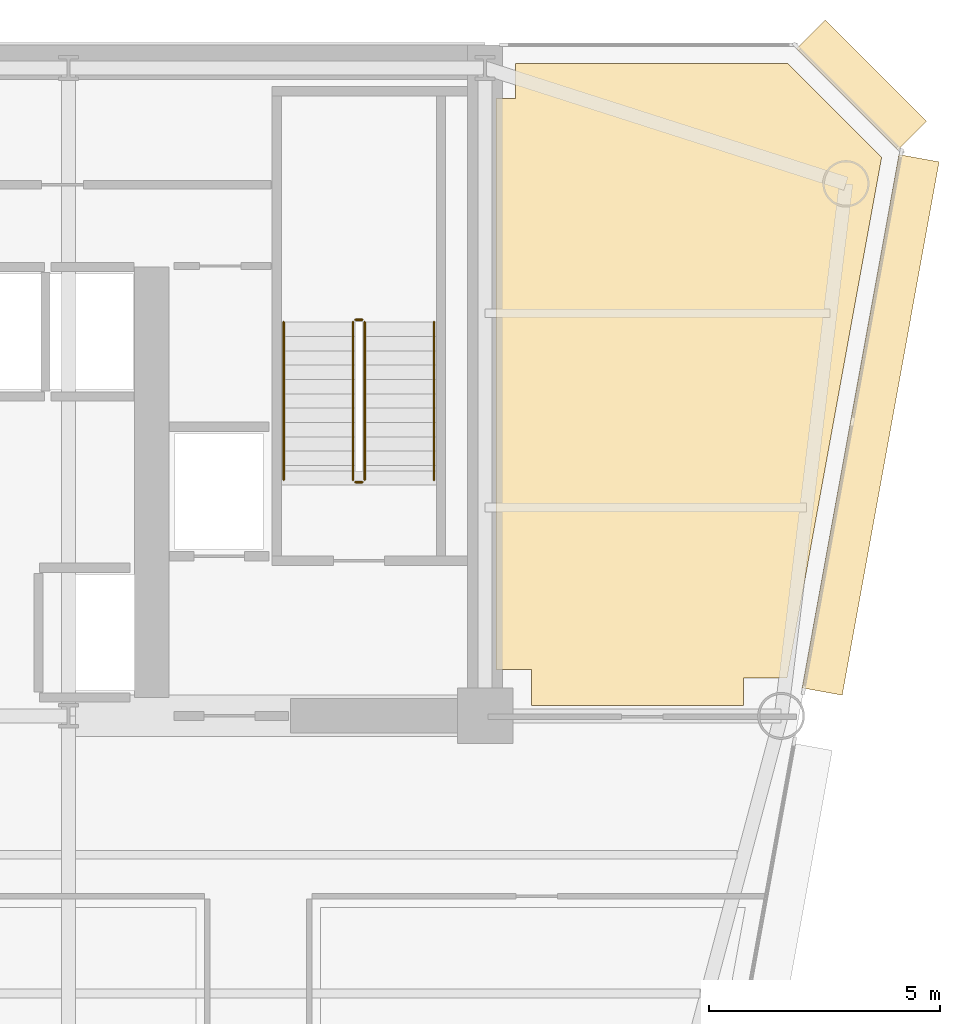
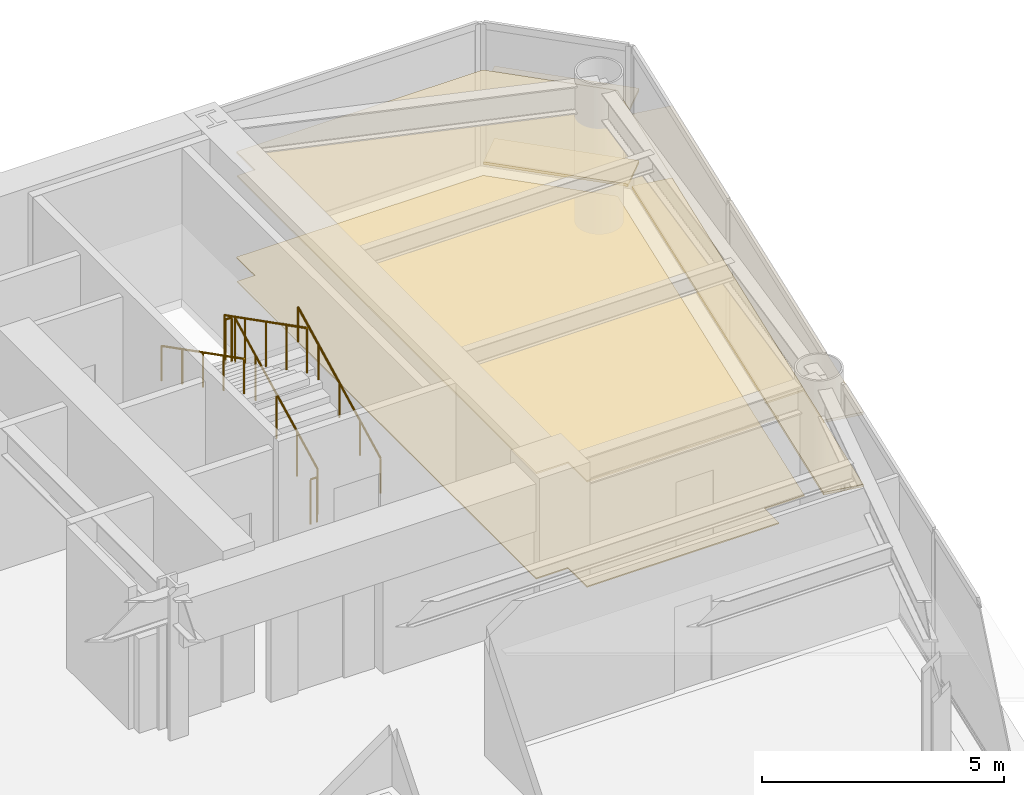
# One storey, part 14 of 14: 6 coverings, 6 railings.
"""IFC4 building model written with IfcOpenShell, lengths in metres."""

from ifc_helpers import new_model, si_unit, direction, frame, origin, origin_2d, place, context, subcontext, project, spatial, polyline, rectangle, circle, outline, extrude, source, transform, mapped, material, layer, layer_set, type_object, element, save


model = new_model("IFC4")

# Units and contexts
model_context = context("Model", 3, precision=1e-05, world=origin(), true_north=direction((0.0, 1.0)))
body_context = subcontext(model_context, "Body", "Model", "MODEL_VIEW")
ifc_project = project(units=[si_unit("LENGTHUNIT", "METRE"), si_unit("AREAUNIT", "SQUARE_METRE"), si_unit("VOLUMEUNIT", "CUBIC_METRE"), si_unit("PLANEANGLEUNIT", "RADIAN"), si_unit("MASSUNIT", "GRAM", prefix="KILO")], contexts=[model_context])

# Site, building, storey
site_placement = place(None, origin())
site = spatial("IfcSite", under=ifc_project, at=site_placement, CompositionType="ELEMENT")
building_placement = place(site_placement, origin())
building = spatial("IfcBuilding", under=site, at=building_placement, Name="Vaeldorn Concourse Tower", CompositionType="ELEMENT")
storey_placement = place(building_placement, frame((0.0, 0.0, 133.800048828125)))
storey = spatial("IfcBuildingStorey", under=building, at=storey_placement, Name="L34", CompositionType="ELEMENT", Elevation=133.800048828125)

# Coverings
ifc_material_1 = material(Name="Acoustic Mineral Fibre Board", Category="gypsum")
ifc_layer_1 = layer(ifc_material_1, 0.0400390625)
ifc_layer_set_1 = layer_set([ifc_layer_1], Name="Acoustic Mineral Fibre Board")
covering_type_1 = type_object("IfcCoveringType", Name="COV-CEIL-ACOUSTIC", PredefinedType="CEILING", material=ifc_layer_set_1)
covering_1_placement = place(storey_placement, frame((0.0, 0.0, 2.64990234375)))
element("IfcCovering", 1, at=covering_1_placement, inside=storey, type_object=covering_type_1, Name="Suspended Acoustic Ceiling L34-4", PredefinedType="CEILING", context=body_context, shape_type="SweptSolid", body=[
    extrude(outline(polyline([(54.659912109375, 49.840087890625), (54.659912109375, 50.60009765625), (60.5341796875, 50.60009765625), (62.56884765625, 48.565185546875), (60.526611328125, 37.320068359375), (59.580078125, 37.320068359375), (59.580078125, 36.719970703125), (55.0, 36.719970703125), (55.0, 37.5), (54.239990234375, 37.5), (54.239990234375, 49.840087890625), (54.659912109375, 49.840087890625)])), origin(), (0.0, 0.0, 1.0), 0.0400390625),
])
ifc_material_2 = material(Name="Honed Limestone Terrazzo Flooring", Category="masonry")
ifc_layer_2 = layer(ifc_material_2, 0.0400390625)
ifc_layer_set_2 = layer_set([ifc_layer_2], Name="Honed Limestone Terrazzo Flooring")
covering_type_2 = type_object("IfcCoveringType", Name="COV-FLOOR-STONE", PredefinedType="FLOORING", material=ifc_layer_set_2)
covering_2_placement = place(storey_placement, origin())
element("IfcCovering", 2, at=covering_2_placement, inside=storey, type_object=covering_type_2, Name="Floor Finish Covering L34-4", PredefinedType="FLOORING", context=body_context, shape_type="SweptSolid", body=[
    extrude(outline(polyline([(54.659912109375, 49.840087890625), (54.659912109375, 50.60009765625), (60.5341796875, 50.60009765625), (62.56884765625, 48.565185546875), (60.526611328125, 37.320068359375), (59.580078125, 37.320068359375), (59.580078125, 36.719970703125), (55.0, 36.719970703125), (55.0, 37.5), (54.239990234375, 37.5), (54.239990234375, 49.840087890625), (54.659912109375, 49.840087890625)])), origin(), (0.0, 0.0, 1.0), 0.030029296875),
])

# Railings
ifc_material_3 = material(Name="Anodised Bronze Aluminium", Category="aluminium")
railing_type_1 = type_object("IfcRailingType", Name="RL-STAIR-GUARD", PredefinedType="GUARDRAIL", material=ifc_material_3)
railing_1_placement = place(storey_placement, frame((51.39990234375, 41.60009765625, 0.158203125)))
element("IfcRailing", 3, at=railing_1_placement, inside=storey, type_object=railing_type_1, Name="L34 ST-2 stair guard 1", PredefinedType="GUARDRAIL", context=body_context, shape_type="SweptSolid", body=[
    extrude(circle(Radius=0.02392578125, at=origin_2d()), frame((0.0, 0.0, 1.1259765625), z_axis=(0.0, 0.890555807335, 0.454873997962), x_axis=(-1.0, 0.0, 0.0)), (0.0, 0.0, 1.0), 3.828857421875),
    extrude(circle(Radius=0.02099609375, at=origin_2d()), origin(), (0.0, 0.0, 1.0), 1.101806640625),
    extrude(circle(Radius=0.02099609375, at=origin_2d()), frame((0.0, 0.8525390625, 0.435546875)), (0.0, 0.0, 1.0), 1.101806640625),
    extrude(circle(Radius=0.02099609375, at=origin_2d()), frame((0.0, 1.705078125, 0.870849609375)), (0.0, 0.0, 1.0), 1.101806640625),
    extrude(circle(Radius=0.02099609375, at=origin_2d()), frame((0.0, 2.557373046875, 1.30615234375)), (0.0, 0.0, 1.0), 1.101806640625),
    extrude(circle(Radius=0.02099609375, at=origin_2d()), frame((0.0, 3.409912109375, 1.74169921875)), (0.0, 0.0, 1.0), 1.101806640625),
])
railing_2_placement = place(storey_placement, frame((51.35009765625, 45.06005859375, 1.89990234375)))
element("IfcRailing", 4, at=railing_2_placement, inside=storey, type_object=railing_type_1, Name="L34 ST-2 stair guard 2", PredefinedType="GUARDRAIL", context=body_context, shape_type="SweptSolid", body=[
    extrude(circle(Radius=0.02392578125, at=origin_2d()), frame((0.0, 0.0, 1.1259765625), z_axis=(-1.0, 0.0, 0.0), x_axis=(0.0, -1.0, 0.0)), (0.0, 0.0, 1.0), 0.150146484375),
    extrude(circle(Radius=0.02099609375, at=origin_2d()), origin(), (0.0, 0.0, 1.0), 1.101806640625),
    extrude(circle(Radius=0.02099609375, at=origin_2d()), frame((-0.150146484375, 0.0, 0.0)), (0.0, 0.0, 1.0), 1.101806640625),
])
railing_3_placement = place(storey_placement, frame((51.14990234375, 45.010009765625, 2.058349609375)))
element("IfcRailing", 5, at=railing_3_placement, inside=storey, type_object=railing_type_1, Name="L34 ST-2 stair guard 3", PredefinedType="GUARDRAIL", context=body_context, shape_type="SweptSolid", body=[
    extrude(circle(Radius=0.02392578125, at=origin_2d()), frame((0.0, 0.0, 1.1259765625), z_axis=(0.0, -0.890555807335, 0.454873997962), x_axis=(1.0, 0.0, 0.0)), (0.0, 0.0, 1.0), 3.828857421875),
    extrude(circle(Radius=0.02099609375, at=origin_2d()), origin(), (0.0, 0.0, 1.0), 1.101806640625),
    extrude(circle(Radius=0.02099609375, at=origin_2d()), frame((0.0, -0.8525390625, 0.435546875)), (0.0, 0.0, 1.0), 1.101806640625),
    extrude(circle(Radius=0.02099609375, at=origin_2d()), frame((0.0, -1.705078125, 0.870849609375)), (0.0, 0.0, 1.0), 1.101806640625),
    extrude(circle(Radius=0.02099609375, at=origin_2d()), frame((0.0, -2.557373046875, 1.30615234375)), (0.0, 0.0, 1.0), 1.101806640625),
    extrude(circle(Radius=0.02099609375, at=origin_2d()), frame((0.0, -3.409912109375, 1.74169921875)), (0.0, 0.0, 1.0), 1.101806640625),
])
railing_4_placement = place(storey_placement, frame((51.35009765625, 41.550048828125, 0.0)))
element("IfcRailing", 6, at=railing_4_placement, inside=storey, type_object=railing_type_1, Name="L34 ST-2 stair guard 4", PredefinedType="GUARDRAIL", context=body_context, shape_type="SweptSolid", body=[
    extrude(circle(Radius=0.02392578125, at=origin_2d()), frame((0.0, 0.0, 1.1259765625), z_axis=(-1.0, 0.0, 0.0), x_axis=(0.0, -1.0, 0.0)), (0.0, 0.0, 1.0), 0.150146484375),
    extrude(circle(Radius=0.02099609375, at=origin_2d()), origin(), (0.0, 0.0, 1.0), 1.101806640625),
    extrude(circle(Radius=0.02099609375, at=origin_2d()), frame((-0.150146484375, 0.0, 0.0)), (0.0, 0.0, 1.0), 1.101806640625),
])
railing_type_2 = type_object("IfcRailingType", Name="RL-STAIR-HANDRAIL", PredefinedType="HANDRAIL", material=ifc_material_3)
railing_5_placement = place(storey_placement, frame((52.89990234375, 41.60009765625, 0.158203125)))
element("IfcRailing", 7, at=railing_5_placement, inside=storey, type_object=railing_type_2, Name="L34 ST-2 stair handrail 1", PredefinedType="HANDRAIL", context=body_context, shape_type="SweptSolid", body=[
    extrude(circle(Radius=0.02392578125, at=origin_2d()), frame((0.0, 0.0, 0.8759765625), z_axis=(0.0, 0.890555807335, 0.454873997962), x_axis=(-1.0, 0.0, 0.0)), (0.0, 0.0, 1.0), 3.828857421875),
    extrude(circle(Radius=0.02099609375, at=origin_2d()), origin(), (0.0, 0.0, 1.0), 0.851806640625),
    extrude(circle(Radius=0.02099609375, at=origin_2d()), frame((0.0, 0.8525390625, 0.435546875)), (0.0, 0.0, 1.0), 0.851806640625),
    extrude(circle(Radius=0.02099609375, at=origin_2d()), frame((0.0, 1.705078125, 0.870849609375)), (0.0, 0.0, 1.0), 0.851806640625),
    extrude(circle(Radius=0.02099609375, at=origin_2d()), frame((0.0, 2.557373046875, 1.30615234375)), (0.0, 0.0, 1.0), 0.851806640625),
    extrude(circle(Radius=0.02099609375, at=origin_2d()), frame((0.0, 3.409912109375, 1.74169921875)), (0.0, 0.0, 1.0), 0.851806640625),
])
railing_6_placement = place(storey_placement, frame((49.64990234375, 45.010009765625, 2.058349609375)))
element("IfcRailing", 8, at=railing_6_placement, inside=storey, type_object=railing_type_2, Name="L34 ST-2 stair handrail 2", PredefinedType="HANDRAIL", context=body_context, shape_type="SweptSolid", body=[
    extrude(circle(Radius=0.02392578125, at=origin_2d()), frame((0.0, 0.0, 0.8759765625), z_axis=(0.0, -0.890555807335, 0.454873997962), x_axis=(1.0, 0.0, 0.0)), (0.0, 0.0, 1.0), 3.828857421875),
    extrude(circle(Radius=0.02099609375, at=origin_2d()), origin(), (0.0, 0.0, 1.0), 0.851806640625),
    extrude(circle(Radius=0.02099609375, at=origin_2d()), frame((0.0, -0.8525390625, 0.435546875)), (0.0, 0.0, 1.0), 0.851806640625),
    extrude(circle(Radius=0.02099609375, at=origin_2d()), frame((0.0, -1.705078125, 0.870849609375)), (0.0, 0.0, 1.0), 0.851806640625),
    extrude(circle(Radius=0.02099609375, at=origin_2d()), frame((0.0, -2.557373046875, 1.30615234375)), (0.0, 0.0, 1.0), 0.851806640625),
    extrude(circle(Radius=0.02099609375, at=origin_2d()), frame((0.0, -3.409912109375, 1.74169921875)), (0.0, 0.0, 1.0), 0.851806640625),
])

# Coverings
ifc_layer_3 = layer(ifc_material_3, 0.06494140625)
ifc_layer_set_3 = layer_set([ifc_layer_3], Name="Anodised Bronze Aluminium")
covering_type_3 = type_object("IfcCoveringType", Name="SD-BRONZE-SUNSHADE", PredefinedType="USERDEFINED", material=ifc_layer_set_3)
shared_shape_1 = source(origin(), body_context, "Body", "SweptSolid", [
    extrude(rectangle(XDim=3.0927734375, YDim=0.8798828125, at=origin_2d()), origin(), (0.0, 0.0, 1.0), 0.06494140625),
])
for number, where, z_axis, x_axis, name in (
    (9, (62.1328125, 50.1328125, 0.04736328125), (0.0, 0.0, 1.0), (-0.707106781187, 0.707106781187, 0.0), "Horizontal Bronze Sunshade L34-E08.1.1"),
    (10, (62.1328125, 50.1328125, 1.867431640625), (0.0, 0.0, 1.0), (-0.707106781187, 0.707106781187, 0.0), "Horizontal Bronze Sunshade L34-E08.1.2"),
):
    element("IfcCovering", number, at=place(storey_placement, frame(where, z_axis=z_axis, x_axis=x_axis)), inside=storey, type_object=covering_type_3, Name=name, ObjectType="SUNSHADE", PredefinedType="USERDEFINED", context=body_context, shape_type="MappedRepresentation", body=[
        mapped(shared_shape_1, transform((0.0, 0.0, 0.0), scale=1.0)),
    ])
shared_shape_2 = source(origin(), body_context, "Body", "SweptSolid", [
    extrude(rectangle(XDim=11.713134765625, YDim=0.8798828125, at=origin_2d()), origin(), (0.0, 0.0, 1.0), 0.06494140625),
])
for number, where, z_axis, x_axis, name in (
    (11, (62.332763671875, 42.78759765625, 0.04736328125), (0.0, 0.0, 1.0), (0.178682009549, 0.983906875402, 0.0), "Horizontal Bronze Sunshade L34-E07.2.1"),
    (12, (62.332763671875, 42.78759765625, 1.867431640625), (0.0, 0.0, 1.0), (0.178682009549, 0.983906875402, 0.0), "Horizontal Bronze Sunshade L34-E07.2.2"),
):
    element("IfcCovering", number, at=place(storey_placement, frame(where, z_axis=z_axis, x_axis=x_axis)), inside=storey, type_object=covering_type_3, Name=name, ObjectType="SUNSHADE", PredefinedType="USERDEFINED", context=body_context, shape_type="MappedRepresentation", body=[
        mapped(shared_shape_2, transform((0.0, 0.0, 0.0), scale=1.0)),
    ])

save(model, "model.ifc")
